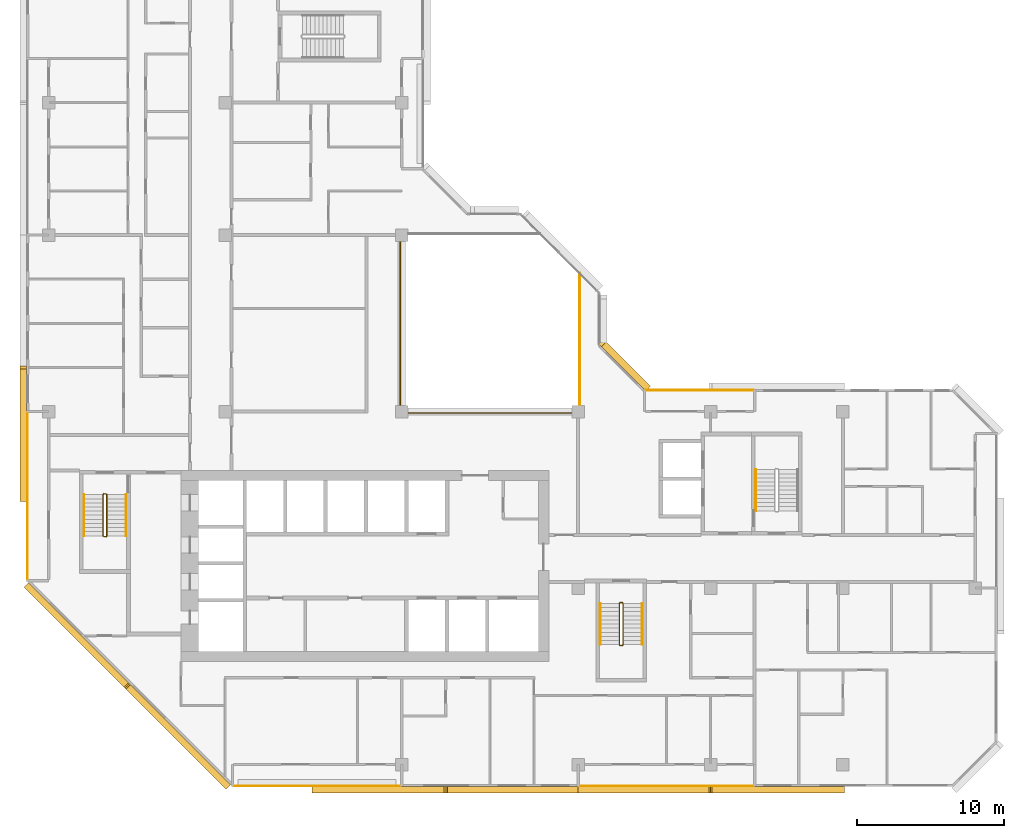
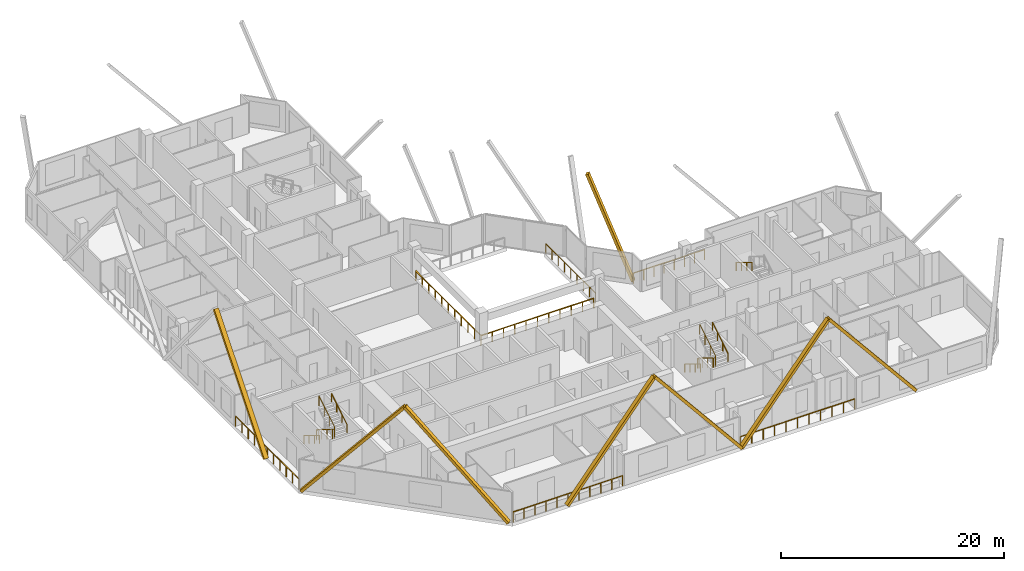
# One storey, part 14 of 15: 13 railings, 8 coverings.
"""IFC4 building model written with IfcOpenShell, lengths in metres."""

from ifc_helpers import new_model, si_unit, direction, frame, origin, origin_2d, place, context, subcontext, project, spatial, rectangle, extrude, material, material_profile, profile_set, type_object, element, save


model = new_model("IFC4")

# Units and contexts
model_context = context("Model", 3, precision=1e-05, world=origin(), true_north=direction((0.0, 1.0)))
body_context = subcontext(model_context, "Body", "Model", "MODEL_VIEW")
ifc_project = project(units=[si_unit("LENGTHUNIT", "METRE"), si_unit("AREAUNIT", "SQUARE_METRE"), si_unit("VOLUMEUNIT", "CUBIC_METRE"), si_unit("PLANEANGLEUNIT", "RADIAN"), si_unit("MASSUNIT", "GRAM", prefix="KILO")], contexts=[model_context])

# Site, building, storey
site_placement = place(None, origin())
site = spatial("IfcSite", under=ifc_project, at=site_placement, CompositionType="ELEMENT")
building_placement = place(site_placement, origin())
building = spatial("IfcBuilding", under=site, at=building_placement, Name="Chenar Terraces", CompositionType="ELEMENT")
storey_placement = place(building_placement, frame((0.0, 0.0, 245.39990234375)))
storey = spatial("IfcBuildingStorey", under=building, at=storey_placement, Name="L58", CompositionType="ELEMENT", Elevation=245.39990234375)

# Railings
ifc_material_1 = material(Name="Powder-coated steel", Category="steel")
railing_type_1 = type_object("IfcRailingType", Name="Guard 1100 steel rail with glass infill", PredefinedType="GUARDRAIL", material=ifc_material_1)
railing_1_placement = place(storey_placement, frame((23.89990234375, 35.574951171875, 0.0)))
element("IfcRailing", 1, at=railing_1_placement, inside=storey, type_object=railing_type_1, Name="Guard L58-1", PredefinedType="GUARDRAIL", context=body_context, shape_type="SweptSolid", body=[
    extrude(rectangle(XDim=0.06005859375, YDim=0.06005859375, at=origin_2d()), frame((0.0, 0.0, 1.070068359375), z_axis=(0.0, -1.0, 0.0), x_axis=(1.0, 0.0, 0.0)), (0.0, 0.0, 1.0), 11.675048828125),
    extrude(rectangle(XDim=0.06005859375, YDim=0.06005859375, at=origin_2d()), frame((0.0, -11.675048828125, 1.070068359375), z_axis=(1.0, 0.0, 0.0), x_axis=(0.0, 1.0, 0.0)), (0.0, 0.0, 1.0), 11.675048828125),
    extrude(rectangle(XDim=0.050048828125, YDim=0.050048828125, at=origin_2d()), origin(), (0.0, 0.0, 1.0), 1.0400390625),
    extrude(rectangle(XDim=0.050048828125, YDim=0.050048828125, at=origin_2d()), frame((0.0, -1.16748046875, 0.0)), (0.0, 0.0, 1.0), 1.0400390625),
    extrude(rectangle(XDim=0.050048828125, YDim=0.050048828125, at=origin_2d()), frame((0.0, -2.3349609375, 0.0)), (0.0, 0.0, 1.0), 1.0400390625),
    extrude(rectangle(XDim=0.050048828125, YDim=0.050048828125, at=origin_2d()), frame((0.0, -3.50244140625, 0.0)), (0.0, 0.0, 1.0), 1.0400390625),
    extrude(rectangle(XDim=0.050048828125, YDim=0.050048828125, at=origin_2d()), frame((0.0, -4.669921875, 0.0)), (0.0, 0.0, 1.0), 1.0400390625),
    extrude(rectangle(XDim=0.050048828125, YDim=0.050048828125, at=origin_2d()), frame((0.0, -5.83740234375, 0.0)), (0.0, 0.0, 1.0), 1.0400390625),
    extrude(rectangle(XDim=0.050048828125, YDim=0.050048828125, at=origin_2d()), frame((0.0, -7.005126953125, 0.0)), (0.0, 0.0, 1.0), 1.0400390625),
    extrude(rectangle(XDim=0.050048828125, YDim=0.050048828125, at=origin_2d()), frame((0.0, -8.172607421875, 0.0)), (0.0, 0.0, 1.0), 1.0400390625),
    extrude(rectangle(XDim=0.050048828125, YDim=0.050048828125, at=origin_2d()), frame((0.0, -9.340087890625, 0.0)), (0.0, 0.0, 1.0), 1.0400390625),
    extrude(rectangle(XDim=0.050048828125, YDim=0.050048828125, at=origin_2d()), frame((0.0, -10.507568359375, 0.0)), (0.0, 0.0, 1.0), 1.0400390625),
    extrude(rectangle(XDim=0.050048828125, YDim=0.050048828125, at=origin_2d()), frame((0.0, -11.675048828125, 0.0)), (0.0, 0.0, 1.0), 1.0400390625),
    extrude(rectangle(XDim=0.050048828125, YDim=0.050048828125, at=origin_2d()), frame((1.16748046875, -11.675048828125, 0.0)), (0.0, 0.0, 1.0), 1.0400390625),
    extrude(rectangle(XDim=0.050048828125, YDim=0.050048828125, at=origin_2d()), frame((2.3349609375, -11.675048828125, 0.0)), (0.0, 0.0, 1.0), 1.0400390625),
    extrude(rectangle(XDim=0.050048828125, YDim=0.050048828125, at=origin_2d()), frame((3.50244140625, -11.675048828125, 0.0)), (0.0, 0.0, 1.0), 1.0400390625),
    extrude(rectangle(XDim=0.050048828125, YDim=0.050048828125, at=origin_2d()), frame((4.669921875, -11.675048828125, 0.0)), (0.0, 0.0, 1.0), 1.0400390625),
    extrude(rectangle(XDim=0.050048828125, YDim=0.050048828125, at=origin_2d()), frame((5.83740234375, -11.675048828125, 0.0)), (0.0, 0.0, 1.0), 1.0400390625),
    extrude(rectangle(XDim=0.050048828125, YDim=0.050048828125, at=origin_2d()), frame((7.005126953125, -11.675048828125, 0.0)), (0.0, 0.0, 1.0), 1.0400390625),
    extrude(rectangle(XDim=0.050048828125, YDim=0.050048828125, at=origin_2d()), frame((8.172607421875, -11.675048828125, 0.0)), (0.0, 0.0, 1.0), 1.0400390625),
    extrude(rectangle(XDim=0.050048828125, YDim=0.050048828125, at=origin_2d()), frame((9.340087890625, -11.675048828125, 0.0)), (0.0, 0.0, 1.0), 1.0400390625),
    extrude(rectangle(XDim=0.050048828125, YDim=0.050048828125, at=origin_2d()), frame((10.507568359375, -11.675048828125, 0.0)), (0.0, 0.0, 1.0), 1.0400390625),
    extrude(rectangle(XDim=0.050048828125, YDim=0.050048828125, at=origin_2d()), frame((11.675048828125, -11.675048828125, 0.0)), (0.0, 0.0, 1.0), 1.0400390625),
])
railing_2_placement = place(storey_placement, frame((36.10009765625, 24.47509765625, 0.0)))
element("IfcRailing", 2, at=railing_2_placement, inside=storey, type_object=railing_type_1, Name="Guard L58-3", PredefinedType="GUARDRAIL", context=body_context, shape_type="SweptSolid", body=[
    extrude(rectangle(XDim=0.06005859375, YDim=0.06005859375, at=origin_2d()), frame((0.0, 0.0, 1.070068359375), z_axis=(0.0, 1.0, 0.0), x_axis=(-1.0, 0.0, 0.0)), (0.0, 0.0, 1.0), 8.9248046875),
    extrude(rectangle(XDim=0.050048828125, YDim=0.050048828125, at=origin_2d()), origin(), (0.0, 0.0, 1.0), 1.0400390625),
    extrude(rectangle(XDim=0.050048828125, YDim=0.050048828125, at=origin_2d()), frame((0.0, 1.11572265625, 0.0)), (0.0, 0.0, 1.0), 1.0400390625),
    extrude(rectangle(XDim=0.050048828125, YDim=0.050048828125, at=origin_2d()), frame((0.0, 2.231201171875, 0.0)), (0.0, 0.0, 1.0), 1.0400390625),
    extrude(rectangle(XDim=0.050048828125, YDim=0.050048828125, at=origin_2d()), frame((0.0, 3.3466796875, 0.0)), (0.0, 0.0, 1.0), 1.0400390625),
    extrude(rectangle(XDim=0.050048828125, YDim=0.050048828125, at=origin_2d()), frame((0.0, 4.46240234375, 0.0)), (0.0, 0.0, 1.0), 1.0400390625),
    extrude(rectangle(XDim=0.050048828125, YDim=0.050048828125, at=origin_2d()), frame((0.0, 5.578125, 0.0)), (0.0, 0.0, 1.0), 1.0400390625),
    extrude(rectangle(XDim=0.050048828125, YDim=0.050048828125, at=origin_2d()), frame((0.0, 6.693603515625, 0.0)), (0.0, 0.0, 1.0), 1.0400390625),
    extrude(rectangle(XDim=0.050048828125, YDim=0.050048828125, at=origin_2d()), frame((0.0, 7.80908203125, 0.0)), (0.0, 0.0, 1.0), 1.0400390625),
    extrude(rectangle(XDim=0.050048828125, YDim=0.050048828125, at=origin_2d()), frame((0.0, 8.9248046875, 0.0)), (0.0, 0.0, 1.0), 1.0400390625),
])
ifc_material_2 = material(Name="Stainless steel and glass", Category="steel")
railing_type_2 = type_object("IfcRailingType", Name="Loggia guard 1150", PredefinedType="GUARDRAIL", material=ifc_material_2)
railing_3_placement = place(storey_placement, frame((47.925048828125, 25.449951171875, 0.0)))
element("IfcRailing", 3, at=railing_3_placement, inside=storey, type_object=railing_type_2, Name="Loggia guard", PredefinedType="GUARDRAIL", context=body_context, shape_type="SweptSolid", body=[
    extrude(rectangle(XDim=0.048095703125, YDim=0.048095703125, at=origin_2d()), frame((0.0, 0.0, 1.1259765625), z_axis=(-1.0, 0.0, 0.0), x_axis=(0.0, -1.0, 0.0)), (0.0, 0.0, 1.0), 7.35009765625),
    extrude(rectangle(XDim=0.0419921875, YDim=0.0419921875, at=origin_2d()), origin(), (0.0, 0.0, 1.0), 1.101806640625),
    extrude(rectangle(XDim=0.0419921875, YDim=0.0419921875, at=origin_2d()), frame((-1.050048828125, 0.0, 0.0)), (0.0, 0.0, 1.0), 1.101806640625),
    extrude(rectangle(XDim=0.0419921875, YDim=0.0419921875, at=origin_2d()), frame((-2.10009765625, 0.0, 0.0)), (0.0, 0.0, 1.0), 1.101806640625),
    extrude(rectangle(XDim=0.0419921875, YDim=0.0419921875, at=origin_2d()), frame((-3.150146484375, 0.0, 0.0)), (0.0, 0.0, 1.0), 1.101806640625),
    extrude(rectangle(XDim=0.0419921875, YDim=0.0419921875, at=origin_2d()), frame((-4.199951171875, 0.0, 0.0)), (0.0, 0.0, 1.0), 1.101806640625),
    extrude(rectangle(XDim=0.0419921875, YDim=0.0419921875, at=origin_2d()), frame((-5.25, 0.0, 0.0)), (0.0, 0.0, 1.0), 1.101806640625),
    extrude(rectangle(XDim=0.0419921875, YDim=0.0419921875, at=origin_2d()), frame((-6.300048828125, 0.0, 0.0)), (0.0, 0.0, 1.0), 1.101806640625),
    extrude(rectangle(XDim=0.0419921875, YDim=0.0419921875, at=origin_2d()), frame((-7.35009765625, 0.0, 0.0)), (0.0, 0.0, 1.0), 1.101806640625),
])
railing_4_placement = place(storey_placement, frame((12.574951171875, -1.449951171875, 0.0)))
element("IfcRailing", 4, at=railing_4_placement, inside=storey, type_object=railing_type_2, Name="Loggia guard", PredefinedType="GUARDRAIL", context=body_context, shape_type="SweptSolid", body=[
    extrude(rectangle(XDim=0.048095703125, YDim=0.048095703125, at=origin_2d()), frame((0.0, 0.0, 1.1259765625), z_axis=(1.0, 0.0, 0.0), x_axis=(0.0, 1.0, 0.0)), (0.0, 0.0, 1.0), 11.35009765625),
    extrude(rectangle(XDim=0.0419921875, YDim=0.0419921875, at=origin_2d()), origin(), (0.0, 0.0, 1.0), 1.101806640625),
    extrude(rectangle(XDim=0.0419921875, YDim=0.0419921875, at=origin_2d()), frame((1.135009765625, 0.0, 0.0)), (0.0, 0.0, 1.0), 1.101806640625),
    extrude(rectangle(XDim=0.0419921875, YDim=0.0419921875, at=origin_2d()), frame((2.27001953125, 0.0, 0.0)), (0.0, 0.0, 1.0), 1.101806640625),
    extrude(rectangle(XDim=0.0419921875, YDim=0.0419921875, at=origin_2d()), frame((3.405029296875, 0.0, 0.0)), (0.0, 0.0, 1.0), 1.101806640625),
    extrude(rectangle(XDim=0.0419921875, YDim=0.0419921875, at=origin_2d()), frame((4.5400390625, 0.0, 0.0)), (0.0, 0.0, 1.0), 1.101806640625),
    extrude(rectangle(XDim=0.0419921875, YDim=0.0419921875, at=origin_2d()), frame((5.675048828125, 0.0, 0.0)), (0.0, 0.0, 1.0), 1.101806640625),
    extrude(rectangle(XDim=0.0419921875, YDim=0.0419921875, at=origin_2d()), frame((6.81005859375, 0.0, 0.0)), (0.0, 0.0, 1.0), 1.101806640625),
    extrude(rectangle(XDim=0.0419921875, YDim=0.0419921875, at=origin_2d()), frame((7.945068359375, 0.0, 0.0)), (0.0, 0.0, 1.0), 1.101806640625),
    extrude(rectangle(XDim=0.0419921875, YDim=0.0419921875, at=origin_2d()), frame((9.080078125, 0.0, 0.0)), (0.0, 0.0, 1.0), 1.101806640625),
    extrude(rectangle(XDim=0.0419921875, YDim=0.0419921875, at=origin_2d()), frame((10.215087890625, 0.0, 0.0)), (0.0, 0.0, 1.0), 1.101806640625),
    extrude(rectangle(XDim=0.0419921875, YDim=0.0419921875, at=origin_2d()), frame((11.35009765625, 0.0, 0.0)), (0.0, 0.0, 1.0), 1.101806640625),
])
railing_5_placement = place(storey_placement, frame((36.074951171875, -1.449951171875, 0.0)))
element("IfcRailing", 5, at=railing_5_placement, inside=storey, type_object=railing_type_2, Name="Loggia guard", PredefinedType="GUARDRAIL", context=body_context, shape_type="SweptSolid", body=[
    extrude(rectangle(XDim=0.048095703125, YDim=0.048095703125, at=origin_2d()), frame((0.0, 0.0, 1.1259765625), z_axis=(1.0, 0.0, 0.0), x_axis=(0.0, 1.0, 0.0)), (0.0, 0.0, 1.0), 11.85009765625),
    extrude(rectangle(XDim=0.0419921875, YDim=0.0419921875, at=origin_2d()), origin(), (0.0, 0.0, 1.0), 1.101806640625),
    extrude(rectangle(XDim=0.0419921875, YDim=0.0419921875, at=origin_2d()), frame((1.18505859375, 0.0, 0.0)), (0.0, 0.0, 1.0), 1.101806640625),
    extrude(rectangle(XDim=0.0419921875, YDim=0.0419921875, at=origin_2d()), frame((2.3701171875, 0.0, 0.0)), (0.0, 0.0, 1.0), 1.101806640625),
    extrude(rectangle(XDim=0.0419921875, YDim=0.0419921875, at=origin_2d()), frame((3.554931640625, 0.0, 0.0)), (0.0, 0.0, 1.0), 1.101806640625),
    extrude(rectangle(XDim=0.0419921875, YDim=0.0419921875, at=origin_2d()), frame((4.739990234375, 0.0, 0.0)), (0.0, 0.0, 1.0), 1.101806640625),
    extrude(rectangle(XDim=0.0419921875, YDim=0.0419921875, at=origin_2d()), frame((5.925048828125, 0.0, 0.0)), (0.0, 0.0, 1.0), 1.101806640625),
    extrude(rectangle(XDim=0.0419921875, YDim=0.0419921875, at=origin_2d()), frame((7.110107421875, 0.0, 0.0)), (0.0, 0.0, 1.0), 1.101806640625),
    extrude(rectangle(XDim=0.0419921875, YDim=0.0419921875, at=origin_2d()), frame((8.295166015625, 0.0, 0.0)), (0.0, 0.0, 1.0), 1.101806640625),
    extrude(rectangle(XDim=0.0419921875, YDim=0.0419921875, at=origin_2d()), frame((9.47998046875, 0.0, 0.0)), (0.0, 0.0, 1.0), 1.101806640625),
    extrude(rectangle(XDim=0.0419921875, YDim=0.0419921875, at=origin_2d()), frame((10.6650390625, 0.0, 0.0)), (0.0, 0.0, 1.0), 1.101806640625),
    extrude(rectangle(XDim=0.0419921875, YDim=0.0419921875, at=origin_2d()), frame((11.85009765625, 0.0, 0.0)), (0.0, 0.0, 1.0), 1.101806640625),
])
railing_6_placement = place(storey_placement, frame((-1.449951171875, 23.925048828125, 0.0)))
element("IfcRailing", 6, at=railing_6_placement, inside=storey, type_object=railing_type_2, Name="Loggia guard", PredefinedType="GUARDRAIL", context=body_context, shape_type="SweptSolid", body=[
    extrude(rectangle(XDim=0.048095703125, YDim=0.048095703125, at=origin_2d()), frame((0.0, 0.0, 1.1259765625), z_axis=(0.0, -1.0, 0.0), x_axis=(1.0, 0.0, 0.0)), (0.0, 0.0, 1.0), 11.35009765625),
    extrude(rectangle(XDim=0.0419921875, YDim=0.0419921875, at=origin_2d()), origin(), (0.0, 0.0, 1.0), 1.101806640625),
    extrude(rectangle(XDim=0.0419921875, YDim=0.0419921875, at=origin_2d()), frame((0.0, -1.135009765625, 0.0)), (0.0, 0.0, 1.0), 1.101806640625),
    extrude(rectangle(XDim=0.0419921875, YDim=0.0419921875, at=origin_2d()), frame((0.0, -2.27001953125, 0.0)), (0.0, 0.0, 1.0), 1.101806640625),
    extrude(rectangle(XDim=0.0419921875, YDim=0.0419921875, at=origin_2d()), frame((0.0, -3.405029296875, 0.0)), (0.0, 0.0, 1.0), 1.101806640625),
    extrude(rectangle(XDim=0.0419921875, YDim=0.0419921875, at=origin_2d()), frame((0.0, -4.5400390625, 0.0)), (0.0, 0.0, 1.0), 1.101806640625),
    extrude(rectangle(XDim=0.0419921875, YDim=0.0419921875, at=origin_2d()), frame((0.0, -5.675048828125, 0.0)), (0.0, 0.0, 1.0), 1.101806640625),
    extrude(rectangle(XDim=0.0419921875, YDim=0.0419921875, at=origin_2d()), frame((0.0, -6.81005859375, 0.0)), (0.0, 0.0, 1.0), 1.101806640625),
    extrude(rectangle(XDim=0.0419921875, YDim=0.0419921875, at=origin_2d()), frame((0.0, -7.945068359375, 0.0)), (0.0, 0.0, 1.0), 1.101806640625),
    extrude(rectangle(XDim=0.0419921875, YDim=0.0419921875, at=origin_2d()), frame((0.0, -9.080078125, 0.0)), (0.0, 0.0, 1.0), 1.101806640625),
    extrude(rectangle(XDim=0.0419921875, YDim=0.0419921875, at=origin_2d()), frame((0.0, -10.215087890625, 0.0)), (0.0, 0.0, 1.0), 1.101806640625),
    extrude(rectangle(XDim=0.0419921875, YDim=0.0419921875, at=origin_2d()), frame((0.0, -11.35009765625, 0.0)), (0.0, 0.0, 1.0), 1.101806640625),
])
ifc_material_3 = material(Name="Powder-coated steel", Category="steel")
railing_type_3 = type_object("IfcRailingType", Name="Stair guard 1100", PredefinedType="GUARDRAIL", material=ifc_material_3)
railing_7_placement = place(storey_placement, frame((3.949951171875, 18.35009765625, 3.75)))
element("IfcRailing", 7, at=railing_7_placement, inside=storey, type_object=railing_type_3, Name="L58 ST1 stair guard 1", PredefinedType="GUARDRAIL", context=body_context, shape_type="SweptSolid", body=[
    extrude(rectangle(XDim=0.048095703125, YDim=0.048095703125, at=origin_2d()), frame((0.0, 0.0, 1.076171875), z_axis=(0.0, -0.854202870247, -0.519939858505), x_axis=(1.0, 0.0, 0.0)), (0.0, 0.0, 1.0), 3.278076171875),
    extrude(rectangle(XDim=0.048095703125, YDim=0.048095703125, at=origin_2d()), frame((0.0, -2.800048828125, -0.62841796875), z_axis=(-0.270899902878, -0.270899902878, -0.923702595667), x_axis=(0.707106781187, -0.707106781187, 0.0)), (0.0, 0.0, 1.0), 0.184814453125),
    extrude(rectangle(XDim=0.048095703125, YDim=0.048095703125, at=origin_2d()), frame((-0.050048828125, -2.85009765625, -0.798828125), z_axis=(-1.0, 0.0, 0.0), x_axis=(0.0, -1.0, 0.0)), (0.0, 0.0, 1.0), 0.14990234375),
    extrude(rectangle(XDim=0.048095703125, YDim=0.048095703125, at=origin_2d()), frame((-0.199951171875, -2.85009765625, -0.798828125), z_axis=(-0.707106781187, 0.707106781187, 0.0), x_axis=(-0.707106781187, -0.707106781187, 0.0)), (0.0, 0.0, 1.0), 0.07080078125),
    extrude(rectangle(XDim=0.048095703125, YDim=0.048095703125, at=origin_2d()), frame((-0.25, -2.800048828125, -0.798828125), z_axis=(0.0, 0.854202870247, -0.519939858505), x_axis=(-1.0, 0.0, 0.0)), (0.0, 0.0, 1.0), 3.278076171875),
    extrude(rectangle(XDim=0.048095703125, YDim=0.048095703125, at=origin_2d()), frame((-0.25, 0.0, -2.50341796875), z_axis=(0.270996696079, 0.269674760976, -0.924032636873), x_axis=(-0.705375805398, 0.708833529934, 0.0)), (0.0, 0.0, 1.0), 0.1845703125),
    extrude(rectangle(XDim=0.048095703125, YDim=0.048095703125, at=origin_2d()), frame((-0.199951171875, 0.0498046875, -2.673828125), z_axis=(1.0, 0.0, 0.0), x_axis=(0.0, 1.0, 0.0)), (0.0, 0.0, 1.0), 0.14990234375),
    extrude(rectangle(XDim=0.0419921875, YDim=0.0419921875, at=origin_2d()), origin(), (0.0, 0.0, 1.0), 1.052001953125),
    extrude(rectangle(XDim=0.0419921875, YDim=0.0419921875, at=origin_2d()), frame((0.0, -0.933349609375, -0.568115234375)), (0.0, 0.0, 1.0), 1.052001953125),
    extrude(rectangle(XDim=0.0419921875, YDim=0.0419921875, at=origin_2d()), frame((0.0, -1.86669921875, -1.13623046875)), (0.0, 0.0, 1.0), 1.052001953125),
    extrude(rectangle(XDim=0.0419921875, YDim=0.0419921875, at=origin_2d()), frame((0.0, -2.800048828125, -1.704345703125)), (0.0, 0.0, 1.0), 1.052001953125),
    extrude(rectangle(XDim=0.0419921875, YDim=0.0419921875, at=origin_2d()), frame((-0.050048828125, -2.85009765625, -1.875)), (0.0, 0.0, 1.0), 1.052001953125),
    extrude(rectangle(XDim=0.0419921875, YDim=0.0419921875, at=origin_2d()), frame((-0.199951171875, -2.85009765625, -1.875)), (0.0, 0.0, 1.0), 1.052001953125),
    extrude(rectangle(XDim=0.0419921875, YDim=0.0419921875, at=origin_2d()), frame((-0.25, -2.800048828125, -1.875)), (0.0, 0.0, 1.0), 1.052001953125),
    extrude(rectangle(XDim=0.0419921875, YDim=0.0419921875, at=origin_2d()), frame((-0.25, -1.86669921875, -2.443115234375)), (0.0, 0.0, 1.0), 1.052001953125),
    extrude(rectangle(XDim=0.0419921875, YDim=0.0419921875, at=origin_2d()), frame((-0.25, -0.933349609375, -3.01123046875)), (0.0, 0.0, 1.0), 1.052001953125),
    extrude(rectangle(XDim=0.0419921875, YDim=0.0419921875, at=origin_2d()), frame((-0.25, 0.0, -3.579345703125)), (0.0, 0.0, 1.0), 1.052001953125),
    extrude(rectangle(XDim=0.0419921875, YDim=0.0419921875, at=origin_2d()), frame((-0.199951171875, 0.0498046875, -3.75)), (0.0, 0.0, 1.0), 1.052001953125),
    extrude(rectangle(XDim=0.0419921875, YDim=0.0419921875, at=origin_2d()), frame((-0.050048828125, 0.0498046875, -3.75)), (0.0, 0.0, 1.0), 1.052001953125),
])
railing_8_placement = place(storey_placement, frame((39.050048828125, 10.949951171875, 3.75)))
element("IfcRailing", 8, at=railing_8_placement, inside=storey, type_object=railing_type_3, Name="L58 ST2 stair guard 1", PredefinedType="GUARDRAIL", context=body_context, shape_type="SweptSolid", body=[
    extrude(rectangle(XDim=0.048095703125, YDim=0.048095703125, at=origin_2d()), frame((0.0, 0.0, 1.076171875), z_axis=(0.0, -0.854202870247, -0.519939858505), x_axis=(1.0, 0.0, 0.0)), (0.0, 0.0, 1.0), 3.278076171875),
    extrude(rectangle(XDim=0.048095703125, YDim=0.048095703125, at=origin_2d()), frame((0.0, -2.800048828125, -0.62841796875), z_axis=(-0.270996696079, -0.269674760976, -0.924032636873), x_axis=(0.705375805398, -0.708833529934, 0.0)), (0.0, 0.0, 1.0), 0.1845703125),
    extrude(rectangle(XDim=0.048095703125, YDim=0.048095703125, at=origin_2d()), frame((-0.050048828125, -2.849853515625, -0.798828125), z_axis=(-1.0, 0.0, 0.0), x_axis=(0.0, -1.0, 0.0)), (0.0, 0.0, 1.0), 0.14990234375),
    extrude(rectangle(XDim=0.048095703125, YDim=0.048095703125, at=origin_2d()), frame((-0.199951171875, -2.849853515625, -0.798828125), z_axis=(-0.708833529934, 0.705375805398, 0.0), x_axis=(-0.705375805398, -0.708833529934, 0.0)), (0.0, 0.0, 1.0), 0.070556640625),
    extrude(rectangle(XDim=0.048095703125, YDim=0.048095703125, at=origin_2d()), frame((-0.25, -2.800048828125, -0.798828125), z_axis=(0.0, 0.854202870247, -0.519939858505), x_axis=(-1.0, 0.0, 0.0)), (0.0, 0.0, 1.0), 3.278076171875),
    extrude(rectangle(XDim=0.048095703125, YDim=0.048095703125, at=origin_2d()), frame((-0.25, 0.0, -2.50341796875), z_axis=(0.270899902878, 0.270899902878, -0.923702595667), x_axis=(-0.707106781187, 0.707106781187, 0.0)), (0.0, 0.0, 1.0), 0.184814453125),
    extrude(rectangle(XDim=0.048095703125, YDim=0.048095703125, at=origin_2d()), frame((-0.199951171875, 0.050048828125, -2.673828125), z_axis=(1.0, 0.0, 0.0), x_axis=(0.0, 1.0, 0.0)), (0.0, 0.0, 1.0), 0.14990234375),
    extrude(rectangle(XDim=0.0419921875, YDim=0.0419921875, at=origin_2d()), origin(), (0.0, 0.0, 1.0), 1.052001953125),
    extrude(rectangle(XDim=0.0419921875, YDim=0.0419921875, at=origin_2d()), frame((0.0, -0.933349609375, -0.568115234375)), (0.0, 0.0, 1.0), 1.052001953125),
    extrude(rectangle(XDim=0.0419921875, YDim=0.0419921875, at=origin_2d()), frame((0.0, -1.86669921875, -1.13623046875)), (0.0, 0.0, 1.0), 1.052001953125),
    extrude(rectangle(XDim=0.0419921875, YDim=0.0419921875, at=origin_2d()), frame((0.0, -2.800048828125, -1.704345703125)), (0.0, 0.0, 1.0), 1.052001953125),
    extrude(rectangle(XDim=0.0419921875, YDim=0.0419921875, at=origin_2d()), frame((-0.050048828125, -2.849853515625, -1.875)), (0.0, 0.0, 1.0), 1.052001953125),
    extrude(rectangle(XDim=0.0419921875, YDim=0.0419921875, at=origin_2d()), frame((-0.199951171875, -2.849853515625, -1.875)), (0.0, 0.0, 1.0), 1.052001953125),
    extrude(rectangle(XDim=0.0419921875, YDim=0.0419921875, at=origin_2d()), frame((-0.25, -2.800048828125, -1.875)), (0.0, 0.0, 1.0), 1.052001953125),
    extrude(rectangle(XDim=0.0419921875, YDim=0.0419921875, at=origin_2d()), frame((-0.25, -1.86669921875, -2.443115234375)), (0.0, 0.0, 1.0), 1.052001953125),
    extrude(rectangle(XDim=0.0419921875, YDim=0.0419921875, at=origin_2d()), frame((-0.25, -0.933349609375, -3.01123046875)), (0.0, 0.0, 1.0), 1.052001953125),
    extrude(rectangle(XDim=0.0419921875, YDim=0.0419921875, at=origin_2d()), frame((-0.25, 0.0, -3.579345703125)), (0.0, 0.0, 1.0), 1.052001953125),
    extrude(rectangle(XDim=0.0419921875, YDim=0.0419921875, at=origin_2d()), frame((-0.199951171875, 0.050048828125, -3.75)), (0.0, 0.0, 1.0), 1.052001953125),
    extrude(rectangle(XDim=0.0419921875, YDim=0.0419921875, at=origin_2d()), frame((-0.050048828125, 0.050048828125, -3.75)), (0.0, 0.0, 1.0), 1.052001953125),
])
ifc_material_4 = material(Name="Powder-coated steel", Category="steel")
railing_type_4 = type_object("IfcRailingType", Name="Stair handrail 900", PredefinedType="HANDRAIL", material=ifc_material_4)
railing_9_placement = place(storey_placement, frame((2.39990234375, 18.35009765625, 0.170654296875)))
element("IfcRailing", 9, at=railing_9_placement, inside=storey, type_object=railing_type_4, Name="L58 ST1 stair handrail 1", PredefinedType="HANDRAIL", context=body_context, shape_type="SweptSolid", body=[
    extrude(rectangle(XDim=0.048095703125, YDim=0.048095703125, at=origin_2d()), frame((0.0, 0.0, 0.8759765625), z_axis=(0.0, -0.854202870247, 0.519939858505), x_axis=(1.0, 0.0, 0.0)), (0.0, 0.0, 1.0), 3.278076171875),
    extrude(rectangle(XDim=0.0419921875, YDim=0.0419921875, at=origin_2d()), origin(), (0.0, 0.0, 1.0), 0.851806640625),
    extrude(rectangle(XDim=0.0419921875, YDim=0.0419921875, at=origin_2d()), frame((0.0, -0.933349609375, 0.568115234375)), (0.0, 0.0, 1.0), 0.851806640625),
    extrude(rectangle(XDim=0.0419921875, YDim=0.0419921875, at=origin_2d()), frame((0.0, -1.86669921875, 1.13623046875)), (0.0, 0.0, 1.0), 0.851806640625),
    extrude(rectangle(XDim=0.0419921875, YDim=0.0419921875, at=origin_2d()), frame((0.0, -2.800048828125, 1.704345703125)), (0.0, 0.0, 1.0), 0.851806640625),
])
railing_10_placement = place(storey_placement, frame((5.25, 15.550048828125, 2.045654296875)))
element("IfcRailing", 10, at=railing_10_placement, inside=storey, type_object=railing_type_4, Name="L58 ST1 stair handrail 2", PredefinedType="HANDRAIL", context=body_context, shape_type="SweptSolid", body=[
    extrude(rectangle(XDim=0.048095703125, YDim=0.048095703125, at=origin_2d()), frame((0.0, 0.0, 0.8759765625), z_axis=(0.0, 0.854202870247, 0.519939858505), x_axis=(-1.0, 0.0, 0.0)), (0.0, 0.0, 1.0), 3.278076171875),
    extrude(rectangle(XDim=0.0419921875, YDim=0.0419921875, at=origin_2d()), origin(), (0.0, 0.0, 1.0), 0.851806640625),
    extrude(rectangle(XDim=0.0419921875, YDim=0.0419921875, at=origin_2d()), frame((0.0, 0.933349609375, 0.568115234375)), (0.0, 0.0, 1.0), 0.851806640625),
    extrude(rectangle(XDim=0.0419921875, YDim=0.0419921875, at=origin_2d()), frame((0.0, 1.86669921875, 1.13623046875)), (0.0, 0.0, 1.0), 0.851806640625),
    extrude(rectangle(XDim=0.0419921875, YDim=0.0419921875, at=origin_2d()), frame((0.0, 2.800048828125, 1.704345703125)), (0.0, 0.0, 1.0), 0.851806640625),
])
railing_11_placement = place(storey_placement, frame((37.5, 10.949951171875, 0.170654296875)))
element("IfcRailing", 11, at=railing_11_placement, inside=storey, type_object=railing_type_4, Name="L58 ST2 stair handrail 1", PredefinedType="HANDRAIL", context=body_context, shape_type="SweptSolid", body=[
    extrude(rectangle(XDim=0.048095703125, YDim=0.048095703125, at=origin_2d()), frame((0.0, 0.0, 0.8759765625), z_axis=(0.0, -0.854202870247, 0.519939858505), x_axis=(1.0, 0.0, 0.0)), (0.0, 0.0, 1.0), 3.278076171875),
    extrude(rectangle(XDim=0.0419921875, YDim=0.0419921875, at=origin_2d()), origin(), (0.0, 0.0, 1.0), 0.851806640625),
    extrude(rectangle(XDim=0.0419921875, YDim=0.0419921875, at=origin_2d()), frame((0.0, -0.933349609375, 0.568115234375)), (0.0, 0.0, 1.0), 0.851806640625),
    extrude(rectangle(XDim=0.0419921875, YDim=0.0419921875, at=origin_2d()), frame((0.0, -1.86669921875, 1.13623046875)), (0.0, 0.0, 1.0), 0.851806640625),
    extrude(rectangle(XDim=0.0419921875, YDim=0.0419921875, at=origin_2d()), frame((0.0, -2.800048828125, 1.704345703125)), (0.0, 0.0, 1.0), 0.851806640625),
])
railing_12_placement = place(storey_placement, frame((40.35009765625, 8.14990234375, 2.045654296875)))
element("IfcRailing", 12, at=railing_12_placement, inside=storey, type_object=railing_type_4, Name="L58 ST2 stair handrail 2", PredefinedType="HANDRAIL", context=body_context, shape_type="SweptSolid", body=[
    extrude(rectangle(XDim=0.048095703125, YDim=0.048095703125, at=origin_2d()), frame((0.0, 0.0, 0.8759765625), z_axis=(0.0, 0.854202870247, 0.519939858505), x_axis=(-1.0, 0.0, 0.0)), (0.0, 0.0, 1.0), 3.278076171875),
    extrude(rectangle(XDim=0.0419921875, YDim=0.0419921875, at=origin_2d()), origin(), (0.0, 0.0, 1.0), 0.851806640625),
    extrude(rectangle(XDim=0.0419921875, YDim=0.0419921875, at=origin_2d()), frame((0.0, 0.933349609375, 0.568115234375)), (0.0, 0.0, 1.0), 0.851806640625),
    extrude(rectangle(XDim=0.0419921875, YDim=0.0419921875, at=origin_2d()), frame((0.0, 1.86669921875, 1.13623046875)), (0.0, 0.0, 1.0), 0.851806640625),
    extrude(rectangle(XDim=0.0419921875, YDim=0.0419921875, at=origin_2d()), frame((0.0, 2.800048828125, 1.704345703125)), (0.0, 0.0, 1.0), 0.851806640625),
])
railing_13_placement = place(storey_placement, frame((48.074951171875, 20.050048828125, 2.045654296875)))
element("IfcRailing", 13, at=railing_13_placement, inside=storey, type_object=railing_type_4, Name="L58 ST3 stair handrail 2", PredefinedType="HANDRAIL", context=body_context, shape_type="SweptSolid", body=[
    extrude(rectangle(XDim=0.048095703125, YDim=0.048095703125, at=origin_2d()), frame((0.0, 0.0, 0.8759765625), z_axis=(0.0, -0.854202870247, 0.519939858505), x_axis=(1.0, 0.0, 0.0)), (0.0, 0.0, 1.0), 3.278076171875),
    extrude(rectangle(XDim=0.0419921875, YDim=0.0419921875, at=origin_2d()), origin(), (0.0, 0.0, 1.0), 0.851806640625),
    extrude(rectangle(XDim=0.0419921875, YDim=0.0419921875, at=origin_2d()), frame((0.0, -0.933349609375, 0.568115234375)), (0.0, 0.0, 1.0), 0.851806640625),
    extrude(rectangle(XDim=0.0419921875, YDim=0.0419921875, at=origin_2d()), frame((0.0, -1.86669921875, 1.13623046875)), (0.0, 0.0, 1.0), 0.851806640625),
    extrude(rectangle(XDim=0.0419921875, YDim=0.0419921875, at=origin_2d()), frame((0.0, -2.800048828125, 1.704345703125)), (0.0, 0.0, 1.0), 0.851806640625),
])

# Coverings
ifc_material_5 = material(Name="Terracotta", Category="masonry")
ifc_material_profile = material_profile(ifc_material_5, rectangle(XDim=0.449951171875, YDim=0.280029296875, at=origin_2d()), Name="Terracotta baguette 450 x 280")
ifc_profile_set = profile_set([ifc_material_profile], Name="Terracotta")
covering_type = type_object("IfcCoveringType", Name="Terracotta baguette 450 x 280", PredefinedType="CLADDING", material=ifc_profile_set)
covering_1_placement = place(storey_placement, frame((40.6591796875, 25.6591796875, 0.150146484375), z_axis=(-0.255468212233, 0.255468212233, 0.932454816641), x_axis=(-0.707106781187, -0.707106781187, 0.0)))
element("IfcCovering", 14, at=covering_1_placement, inside=storey, type_object=covering_type, Name="Terracotta baguette", PredefinedType="CLADDING", context=body_context, shape_type="SweptSolid", body=[
    extrude(rectangle(XDim=0.449951171875, YDim=0.280029296875, at=origin_2d()), origin(), (0.0, 0.0, 1.0), 11.7431640625),
])
covering_2_placement = place(storey_placement, frame((-1.72509765625, 27.0, 11.10009765625), z_axis=(0.0, -0.634966765532, -0.772539453148), x_axis=(1.0, 0.0, 0.0)))
element("IfcCovering", 15, at=covering_2_placement, inside=storey, type_object=covering_type, Name="Terracotta baguette", PredefinedType="CLADDING", context=body_context, shape_type="SweptSolid", body=[
    extrude(rectangle(XDim=0.449951171875, YDim=0.280029296875, at=origin_2d()), origin(), (0.0, 0.0, 1.0), 14.174072265625),
])
for number, where, z_axis, x_axis, name in (
    (16, (-1.447021484375, 12.128662109375, 0.150146484375), (0.466134798391, -0.466134798391, 0.751955250967), (0.707106781187, 0.707106781187, 0.0), "Terracotta baguette"),
    (17, (5.3408203125, 5.3408203125, 11.10009765625), (0.466134798391, -0.466134798391, -0.751955250967), (0.707106781187, 0.707106781187, 0.0), "Terracotta baguette"),
):
    element("IfcCovering", number, at=place(storey_placement, frame(where, z_axis=z_axis, x_axis=x_axis)), inside=storey, type_object=covering_type, Name=name, PredefinedType="CLADDING", context=body_context, shape_type="SweptSolid", body=[
        extrude(rectangle(XDim=0.449951171875, YDim=0.280029296875, at=origin_2d()), origin(), (0.0, 0.0, 1.0), 14.56201171875),
    ])
for number, where, z_axis, x_axis, name in (
    (18, (18.0, -1.72509765625, 0.150146484375), (0.634966765532, 0.0, 0.772539453148), (0.0, 1.0, 0.0), "Terracotta baguette"),
    (19, (27.0, -1.72509765625, 11.10009765625), (0.634966765532, 0.0, -0.772539453148), (0.0, 1.0, 0.0), "Terracotta baguette"),
    (20, (36.0, -1.72509765625, 0.150146484375), (0.634966765532, 0.0, 0.772539453148), (0.0, 1.0, 0.0), "Terracotta baguette"),
    (21, (45.0, -1.72509765625, 11.10009765625), (0.634966765532, 0.0, -0.772539453148), (0.0, 1.0, 0.0), "Terracotta baguette"),
):
    element("IfcCovering", number, at=place(storey_placement, frame(where, z_axis=z_axis, x_axis=x_axis)), inside=storey, type_object=covering_type, Name=name, PredefinedType="CLADDING", context=body_context, shape_type="SweptSolid", body=[
        extrude(rectangle(XDim=0.449951171875, YDim=0.280029296875, at=origin_2d()), origin(), (0.0, 0.0, 1.0), 14.174072265625),
    ])

save(model, "model.ifc")
